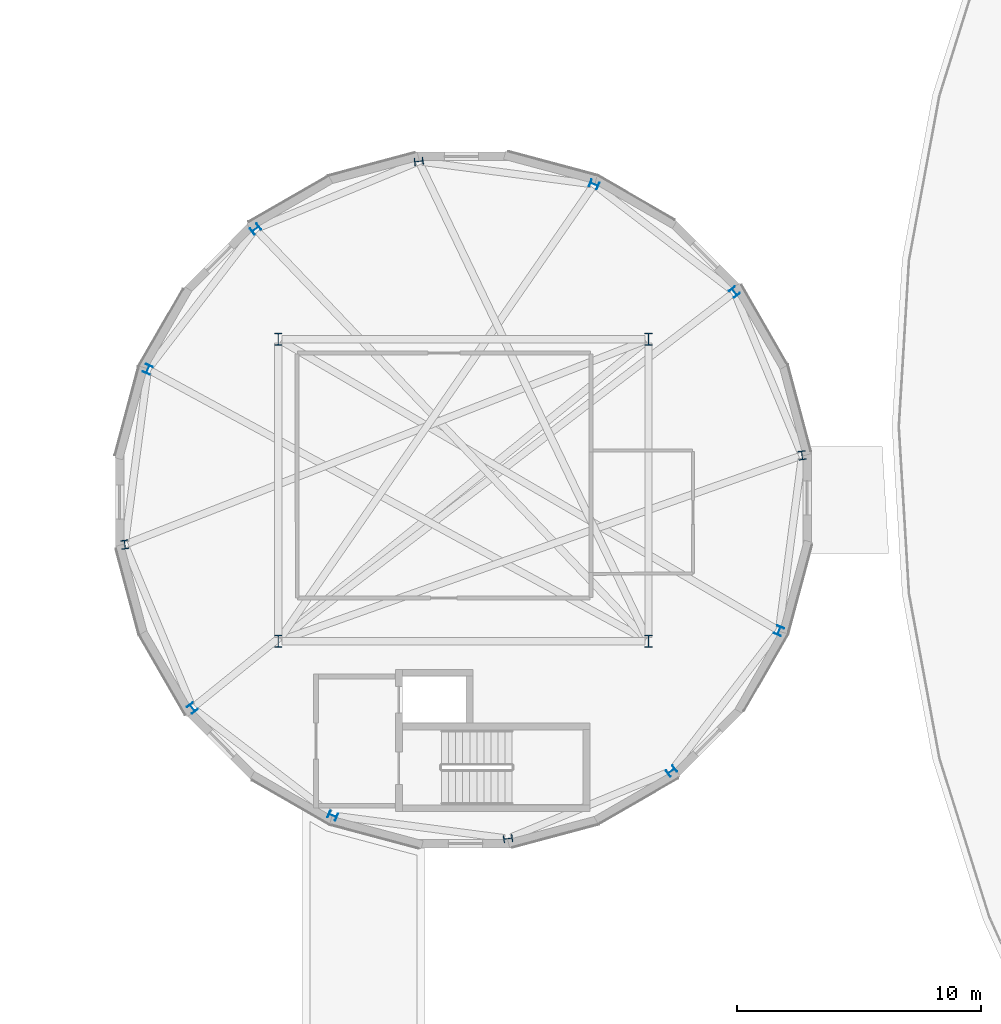
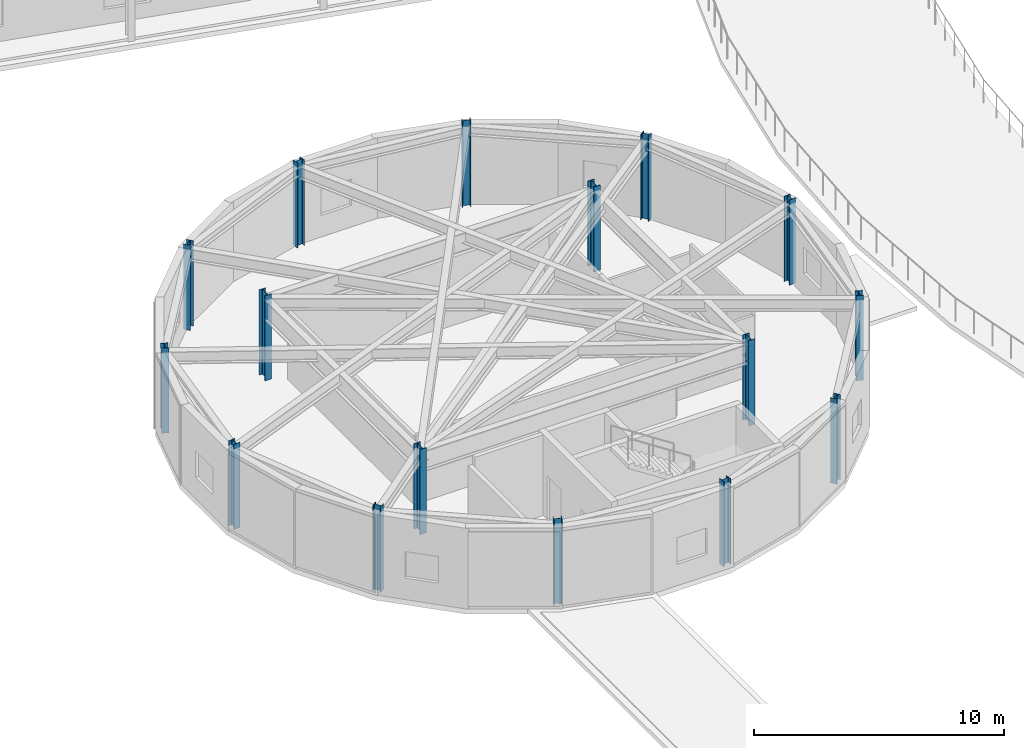
# One storey, part 2 of 59: 16 columns.
"""IFC4 building model written with IfcOpenShell, lengths in metres."""

from ifc_helpers import new_model, si_unit, direction, frame, origin, origin_2d, place, context, subcontext, project, spatial, i_section, extrude, material, material_profile, profile_set, type_object, element, save


model = new_model("IFC4")

# Units and contexts
model_context = context("Model", 3, precision=1e-05, world=origin(), true_north=direction((0.0, 1.0)))
body_context = subcontext(model_context, "Body", "Model", "MODEL_VIEW")
ifc_project = project(units=[si_unit("LENGTHUNIT", "METRE"), si_unit("AREAUNIT", "SQUARE_METRE"), si_unit("VOLUMEUNIT", "CUBIC_METRE"), si_unit("PLANEANGLEUNIT", "RADIAN"), si_unit("MASSUNIT", "GRAM", prefix="KILO")], contexts=[model_context])

# Site, building, storey
site_placement = place(None, origin())
site = spatial("IfcSite", under=ifc_project, at=site_placement, CompositionType="ELEMENT")
building_placement = place(site_placement, origin())
building = spatial("IfcBuilding", under=site, at=building_placement, Name="Varnklinge Art Gallery", CompositionType="ELEMENT")
storey_placement = place(building_placement, frame((0.0, 0.0, 9.52001953125)))
storey = spatial("IfcBuildingStorey", under=building, at=storey_placement, Name="L02", CompositionType="ELEMENT", Elevation=9.52001953125)

# Columns
ifc_material_1 = material(Name="Steel S355", Category="steel")
ifc_material_profile_1 = material_profile(ifc_material_1, i_section(OverallWidth=0.300048828125, OverallDepth=0.5, WebThickness=0.014404296875, FlangeThickness=0.028076171875, FilletRadius=0.027099609375, at=origin_2d()), Name="HEB 500")
ifc_profile_set_1 = profile_set([ifc_material_profile_1], Name="Steel S355")
column_type_1 = type_object("IfcColumnType", Name="COL-05", PredefinedType="COLUMN", material=ifc_profile_set_1)
for number, where, z_axis, x_axis, name in (
    (1, (14.199951171875, 46.199951171875, 0.0), (0.0, 0.0, 1.0), (1.0, 0.0, 0.0), "L02 Column V3CI-1"),
    (2, (29.39990234375, 46.199951171875, 0.0), (0.0, 0.0, 1.0), (1.0, 0.0, 0.0), "L02 Column V3CI-2"),
    (3, (29.39990234375, 58.60009765625, 0.0), (0.0, 0.0, 1.0), (1.0, 0.0, 0.0), "L02 Column V3CI-3"),
    (4, (14.199951171875, 58.60009765625, 0.0), (0.0, 0.0, 1.0), (1.0, 0.0, 0.0), "L02 Column V3CI-4"),
):
    element("IfcColumn", number, at=place(storey_placement, frame(where, z_axis=z_axis, x_axis=x_axis)), inside=storey, type_object=column_type_1, Name=name, PredefinedType="COLUMN", context=body_context, shape_type="SweptSolid", body=[
        extrude(i_section(OverallWidth=0.300048828125, OverallDepth=0.5, WebThickness=0.014404296875, FlangeThickness=0.028076171875, FilletRadius=0.027099609375, at=origin_2d()), origin(), (0.0, 0.0, 1.0), 4.159912109375),
    ])
ifc_material_2 = material(Name="Steel S355", Category="steel")
ifc_material_profile_2 = material_profile(ifc_material_2, i_section(OverallWidth=0.300048828125, OverallDepth=0.360107421875, WebThickness=0.012451171875, FlangeThickness=0.0224609375, FilletRadius=0.027099609375, at=origin_2d()), Name="HEB 360")
ifc_profile_set_2 = profile_set([ifc_material_profile_2], Name="Steel S355")
column_type_2 = type_object("IfcColumnType", Name="COL-E4", PredefinedType="COLUMN", material=ifc_profile_set_2)
for number, where, z_axis, x_axis, name in (
    (5, (35.7001953125, 53.830078125, 0.0), (0.0, 0.0, 1.0), (0.991444861374, 0.13052619222, 0.0), "L02 Column V3CP-01"),
    (6, (32.9228515625, 60.534912109375, 0.0), (0.0, 0.0, 1.0), (0.793353340291, 0.608761429009, 0.0), "L02 Column V3CP-02"),
    (7, (27.165283203125, 64.952880859375, 0.0), (0.0, 0.0, 1.0), (0.382683432365, 0.923879532511, 0.0), "L02 Column V3CP-03"),
    (8, (19.969970703125, 65.900146484375, 0.0), (0.0, 0.0, 1.0), (-0.13052619222, 0.991444861374, 0.0), "L02 Column V3CP-04"),
    (9, (13.26513671875, 63.122802734375, 0.0), (0.0, 0.0, 1.0), (-0.608761429009, 0.793353340291, 0.0), "L02 Column V3CP-05"),
    (10, (8.84716796875, 57.365234375, 0.0), (0.0, 0.0, 1.0), (-0.923879532511, 0.382683432365, 0.0), "L02 Column V3CP-06"),
    (11, (7.89990234375, 50.169921875, 0.0), (0.0, 0.0, 1.0), (-0.991444861374, -0.13052619222, 0.0), "L02 Column V3CP-07"),
    (12, (10.67724609375, 43.465087890625, 0.0), (0.0, 0.0, 1.0), (-0.793353340291, -0.608761429009, 0.0), "L02 Column V3CP-08"),
    (13, (16.434814453125, 39.047119140625, 0.0), (0.0, 0.0, 1.0), (-0.382683432365, -0.923879532511, 0.0), "L02 Column V3CP-09"),
    (14, (23.6298828125, 38.099853515625, 0.0), (0.0, 0.0, 1.0), (0.13052619222, -0.991444861374, 0.0), "L02 Column V3CP-10"),
    (15, (30.334716796875, 40.877197265625, 0.0), (0.0, 0.0, 1.0), (0.608761429009, -0.793353340291, 0.0), "L02 Column V3CP-11"),
    (16, (34.752685546875, 46.634765625, 0.0), (0.0, 0.0, 1.0), (0.923879532511, -0.382683432365, 0.0), "L02 Column V3CP-12"),
):
    element("IfcColumn", number, at=place(storey_placement, frame(where, z_axis=z_axis, x_axis=x_axis)), inside=storey, type_object=column_type_2, Name=name, PredefinedType="COLUMN", context=body_context, shape_type="SweptSolid", body=[
        extrude(i_section(OverallWidth=0.300048828125, OverallDepth=0.360107421875, WebThickness=0.012451171875, FlangeThickness=0.0224609375, FilletRadius=0.027099609375, at=origin_2d()), origin(), (0.0, 0.0, 1.0), 4.159912109375),
    ])

save(model, "model.ifc")
